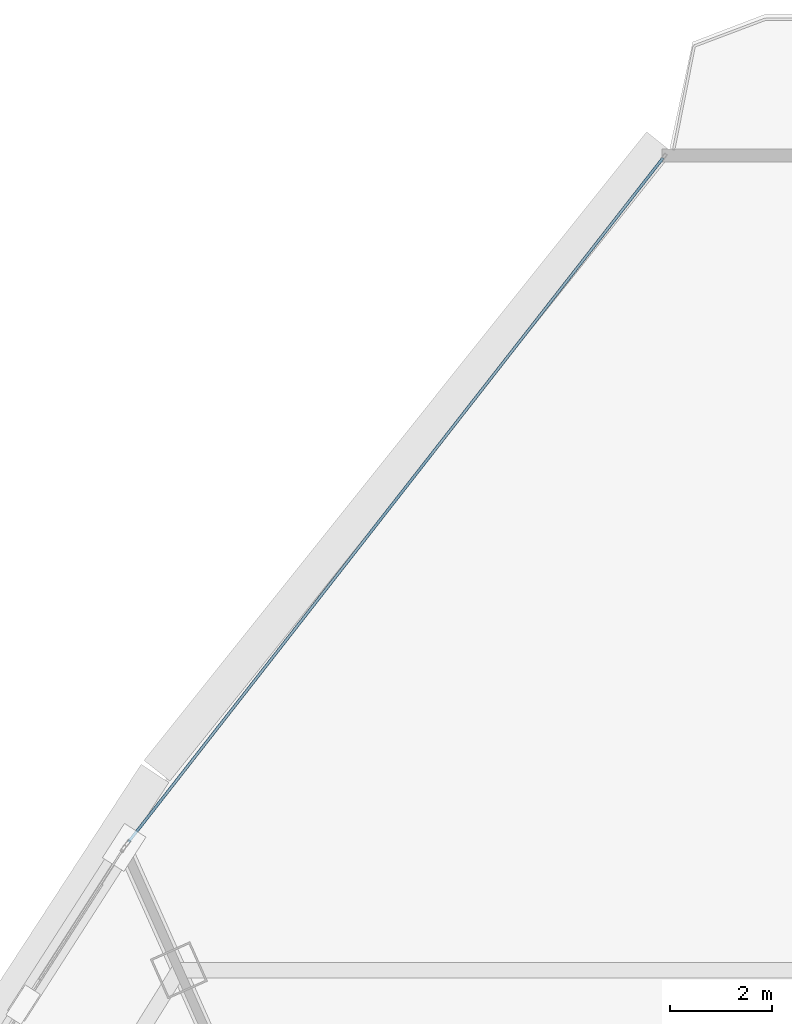
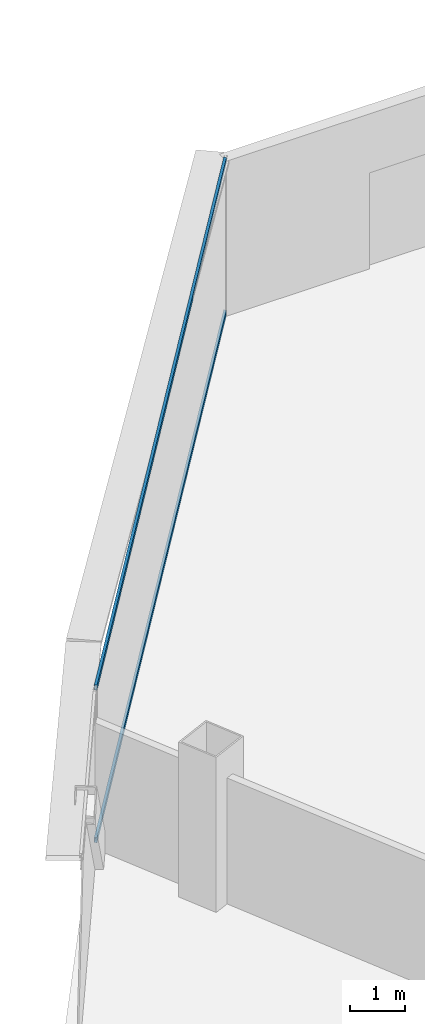
# One storey, part 18 of 37: 2 members, 1 element without a shape of its own.
"""IFC4 building model written with IfcOpenShell, lengths in metres."""

from ifc_helpers import new_model, si_unit, direction, frame, origin, origin_2d, place, context, subcontext, project, spatial, hollow_rectangle, extrude, source, transform, mapped, material, layer, layer_set, material_profile, profile_set, type_object, element, aggregate, save


model = new_model("IFC4")

# Units and contexts
model_context = context("Model", 3, precision=1e-05, world=origin(), true_north=direction((0.0, 1.0)))
body_context = subcontext(model_context, "Body", "Model", "MODEL_VIEW")
ifc_project = project(units=[si_unit("LENGTHUNIT", "METRE"), si_unit("AREAUNIT", "SQUARE_METRE"), si_unit("VOLUMEUNIT", "CUBIC_METRE"), si_unit("PLANEANGLEUNIT", "RADIAN"), si_unit("MASSUNIT", "GRAM", prefix="KILO"), si_unit("THERMODYNAMICTEMPERATUREUNIT", "KELVIN"), si_unit("POWERUNIT", "WATT")], contexts=[model_context])

# Site, building, storey
site_placement = place(None, origin())
site = spatial("IfcSite", under=ifc_project, at=site_placement, CompositionType="ELEMENT")
building_placement = place(site_placement, origin())
building = spatial("IfcBuilding", under=site, at=building_placement, Name="Yunzhuo Pagoda Commons", CompositionType="ELEMENT")
storey_placement = place(building_placement, frame((0.0, 0.0, 240.800048828125)))
storey = spatial("IfcBuildingStorey", under=building, at=storey_placement, Name="L60", CompositionType="ELEMENT", Elevation=240.800048828125)

# Curtain wall, members
ifc_material = material(Name="Anodized aluminium 6063-T6", Category="aluminium")
ifc_layer = layer(ifc_material, 0.139892578125)
ifc_layer_set = layer_set([ifc_layer], Name="Anodized aluminium 6063-T6")
curtain_wall_type = type_object("IfcCurtainWallType", Name="CW-HI High-Zone Ribbon Curtain Wall", PredefinedType="NOTDEFINED", material=ifc_layer_set)
curtain_wall_placement = place(storey_placement, origin())
curtain_wall = element("IfcCurtainWall", 1, at=curtain_wall_placement, inside=storey, type_object=curtain_wall_type, Name="L60 curtain wall CW-L60-F3B1", PredefinedType="NOTDEFINED")
ifc_material_profile = material_profile(ifc_material, hollow_rectangle(XDim=0.054931640625, YDim=0.1201171875, WallThickness=0.00341796875, at=origin_2d()), Name="Anodized aluminium 6063-T6")
ifc_profile_set = profile_set([ifc_material_profile], Name="Anodized aluminium 6063-T6")
member_type = type_object("IfcMemberType", Name="CW-HI-T Transom RHS 120x55x3.5", PredefinedType="USERDEFINED", material=ifc_profile_set)
shared_shape = source(origin(), body_context, "Body", "SweptSolid", [
    extrude(hollow_rectangle(XDim=0.054931640625, YDim=0.1201171875, WallThickness=0.00341796875, at=origin_2d()), origin(), (0.0, 0.0, 1.0), 17.036865234375),
])
member_1_placement = place(storey_placement, frame((44.094482421875, 79.75244140625, 0.02734375), z_axis=(-0.615782241849, -0.787916385553, 0.0), x_axis=(0.787916385553, -0.615782241849, 0.0)))
member_1 = element("IfcMember", 2, at=member_1_placement, type_object=member_type, Name="CW transom 1.1", ObjectType="TRANSOM", PredefinedType="USERDEFINED", context=body_context, shape_type="MappedRepresentation", body=[
    mapped(shared_shape, transform((0.0, 0.0, 0.0), scale=1.0)),
])
member_2_placement = place(storey_placement, frame((44.094482421875, 79.75244140625, 3.4423828125), z_axis=(-0.615782241849, -0.787916385553, 0.0), x_axis=(0.787916385553, -0.615782241849, 0.0)))
member_2 = element("IfcMember", 3, at=member_2_placement, type_object=member_type, Name="CW transom 1.2", ObjectType="TRANSOM", PredefinedType="USERDEFINED", context=body_context, shape_type="MappedRepresentation", body=[
    mapped(shared_shape, transform((0.0, 0.0, 0.0), scale=1.0)),
])
aggregate(curtain_wall, [member_1, member_2])

save(model, "model.ifc")
